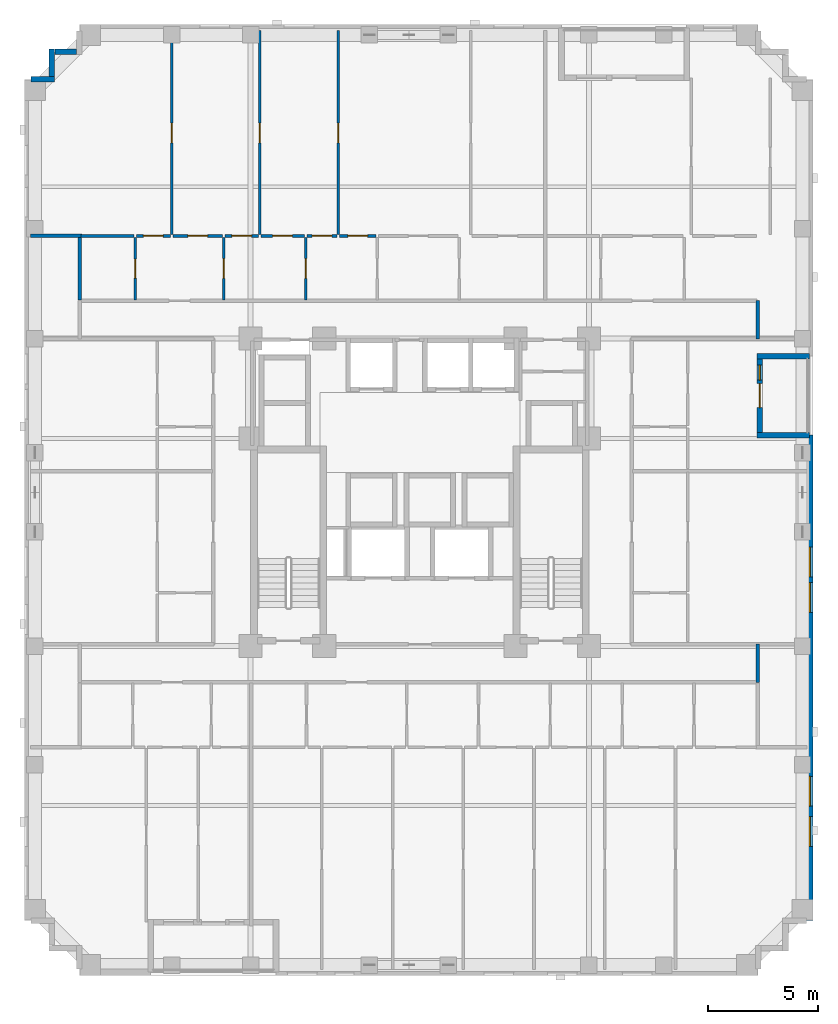
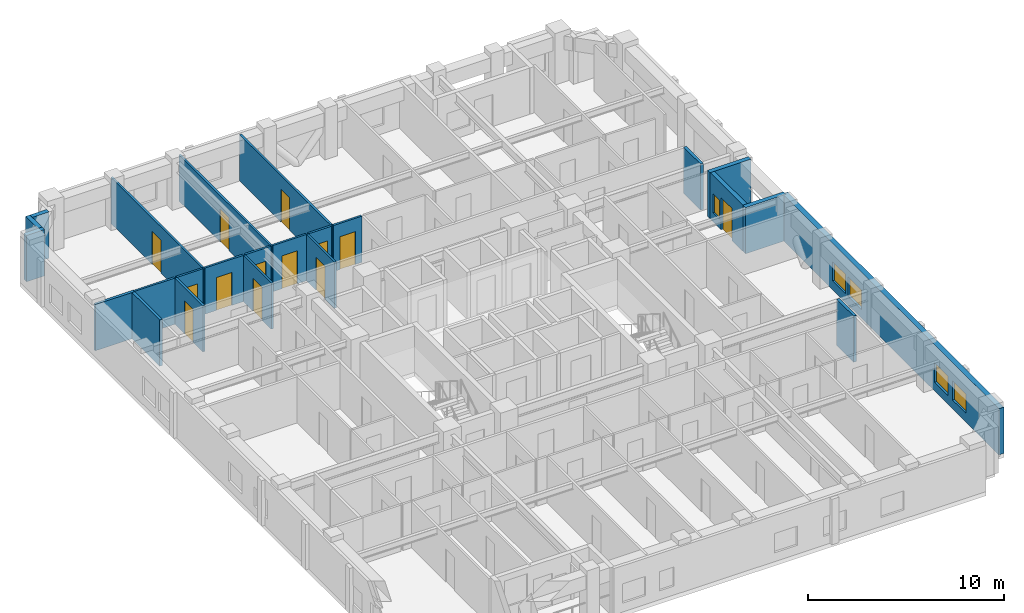
# One storey, part 7 of 12: 24 walls, 13 doors, 5 windows, 18 openings.
"""IFC4 building model written with IfcOpenShell, lengths in metres."""

from ifc_helpers import new_model, si_unit, derived_unit, direction, frame, frame_2d, origin, place, context, subcontext, project, spatial, rectangle, extrude, material, layer, layer_set, type_object, element, fill, save


model = new_model("IFC4")

# Units and contexts
model_context = context("Model", 3, precision=1e-05, world=origin(), true_north=direction((0.0, 1.0)))
body_context = subcontext(model_context, "Body", "Model", "MODEL_VIEW")
ifc_project = project(units=[si_unit("LENGTHUNIT", "METRE"), si_unit("AREAUNIT", "SQUARE_METRE"), si_unit("VOLUMEUNIT", "CUBIC_METRE"), si_unit("PLANEANGLEUNIT", "RADIAN"), si_unit("MASSUNIT", "GRAM", prefix="KILO"), derived_unit("THERMALTRANSMITTANCEUNIT", [(si_unit("MASSUNIT", "GRAM", prefix="KILO"), 1), (si_unit("TIMEUNIT", "SECOND"), -3), (si_unit("THERMODYNAMICTEMPERATUREUNIT", "KELVIN"), -1)])], contexts=[model_context])

# Site, building, storey
site_placement = place(None, origin())
site = spatial("IfcSite", under=ifc_project, at=site_placement, CompositionType="ELEMENT")
building_placement = place(site_placement, origin())
building = spatial("IfcBuilding", under=site, at=building_placement, Name="Korrvale Station Residences", CompositionType="ELEMENT")
storey_placement = place(building_placement, frame((0.0, 0.0, 116.699951171875)))
storey = spatial("IfcBuildingStorey", under=building, at=storey_placement, Name="L33", CompositionType="ELEMENT", Elevation=116.699951171875)

# Wall
ifc_material_1 = material(Name="Precast concrete C45/55", Category="concrete")
ifc_layer_1 = layer(ifc_material_1, 0.260009765625, Name="Precast concrete C45/55")
ifc_layer_set_1 = layer_set([ifc_layer_1], Name="Precast concrete C45/55")
wall_type_1 = type_object("IfcWallType", Name="WAL-EXT-LOG260", PredefinedType="SOLIDWALL", material=ifc_layer_set_1)
wall_1_placement = place(storey_placement, frame((43.239990234375, 28.199951171875, 0.0), z_axis=(0.0, 0.0, 1.0), x_axis=(-1.0, 0.0, 0.0)))
element("IfcWall", 1, at=wall_1_placement, inside=storey, type_object=wall_type_1, Name="L33 Recessed Loggia Wall BAL-L33-E1-L", PredefinedType="SOLIDWALL", context=body_context, shape_type="SweptSolid", body=[
    extrude(rectangle(XDim=2.39990234375, YDim=0.260009765625, at=frame_2d((1.199951171875, 0.0))), origin(), (0.0, 0.0, 1.0), 2.880126953125),
])

# Wall, openings, door, window
wall_2_placement = place(storey_placement, frame((40.969970703125, 28.06591796875, 0.0), z_axis=(0.0, 0.0, 1.0), x_axis=(0.0, -1.0, 0.0)))
wall_2 = element("IfcWall", 2, at=wall_2_placement, inside=storey, type_object=wall_type_1, Name="L33 Recessed Loggia Wall BAL-L33-E1-B", PredefinedType="SOLIDWALL", context=body_context, shape_type="SweptSolid", body=[
    extrude(rectangle(XDim=3.33203125, YDim=0.260009765625, at=frame_2d((1.666015625, 0.0))), origin(), (0.0, 0.0, 1.0), 2.880126953125),
])
opening_1_placement = place(wall_2_placement, frame((1.115966796875, 0.0, 0.0)))
opening_1 = element("IfcOpeningElement", 3, at=opening_1_placement, cuts=wall_2, Name="Opening BD-01", PredefinedType="OPENING", context=body_context, shape_type="SweptSolid", body=[
    extrude(rectangle(XDim=1.10009765625, YDim=2.0, at=frame_2d((0.550048828125, 1.0))), frame((0.0, 0.14013671875, 0.0), z_axis=(0.0, -1.0, 0.0), x_axis=(1.0, 0.0, 0.0)), (0.0, 0.0, 1.0), 0.280029296875),
])
opening_2_placement = place(wall_2_placement, frame((0.27587890625, 0.0, 0.550048828125)))
opening_2 = element("IfcOpeningElement", 4, at=opening_2_placement, cuts=wall_2, Name="Opening W-12", PredefinedType="OPENING", context=body_context, shape_type="SweptSolid", body=[
    extrude(rectangle(XDim=0.679931640625, YDim=1.199951171875, at=frame_2d((0.33984375, 0.60009765625))), frame((0.0, 0.14013671875, 0.0), z_axis=(0.0, -1.0, 0.0), x_axis=(1.0, 0.0, 0.0)), (0.0, 0.0, 1.0), 0.280029296875),
])
ifc_material_2 = material(Name="Exterior thermally broken aluminium glazed balcony door", Category="aluminium")
door_type_1 = type_object("IfcDoorType", Name="DR-EXT-BAL", OperationType="NOTDEFINED", PredefinedType="DOOR", material=ifc_material_2)
door_1_placement = place(opening_1_placement, origin())
door_1 = element("IfcDoor", 5, at=door_1_placement, inside=storey, type_object=door_type_1, Name="L33 Loggia Balcony Door BAL-L33-E1", OperationType="SINGLE_SWING_RIGHT", OverallHeight=2.0, OverallWidth=1.10009765625, PredefinedType="DOOR", context=body_context, shape_type="SweptSolid", body=[
    extrude(rectangle(XDim=1.10009765625, YDim=2.0, at=frame_2d((0.550048828125, 1.0))), frame((0.0, 0.02490234375, 0.0), z_axis=(0.0, -1.0, 0.0), x_axis=(1.0, 0.0, 0.0)), (0.0, 0.0, 1.0), 0.050048828125),
])
fill(opening_1, door_1)
ifc_material_3 = material(Name="Thermally broken aluminium frame with triple low-e glazing", Category="aluminium")
window_type_1 = type_object("IfcWindowType", Name="WIN-W12", PartitioningType="SINGLE_PANEL", PredefinedType="WINDOW", material=ifc_material_3)
window_1_placement = place(opening_2_placement, origin())
window_1 = element("IfcWindow", 6, at=window_1_placement, inside=storey, type_object=window_type_1, Name="L33 Punched Window 25", OverallHeight=1.199951171875, OverallWidth=0.679931640625, PartitioningType="SINGLE_PANEL", PredefinedType="WINDOW", context=body_context, shape_type="SweptSolid", body=[
    extrude(rectangle(XDim=0.679931640625, YDim=1.199951171875, at=frame_2d((0.33984375, 0.60009765625))), frame((0.0, 0.030029296875, 0.0), z_axis=(0.0, -1.0, 0.0), x_axis=(1.0, 0.0, 0.0)), (0.0, 0.0, 1.0), 0.06005859375),
])
fill(opening_2, window_1)

# Walls
wall_3_placement = place(storey_placement, frame((40.840087890625, 24.60009765625, 0.0), z_axis=(0.0, 0.0, 1.0), x_axis=(1.0, 0.0, 0.0)))
element("IfcWall", 7, at=wall_3_placement, inside=storey, type_object=wall_type_1, Name="L33 Recessed Loggia Wall BAL-L33-E1-R", PredefinedType="SOLIDWALL", context=body_context, shape_type="SweptSolid", body=[
    extrude(rectangle(XDim=2.39990234375, YDim=0.260009765625, at=frame_2d((1.199951171875, 0.0))), origin(), (0.0, 0.0, 1.0), 2.880126953125),
])
wall_4_placement = place(storey_placement, frame((7.802001953125, 40.800048828125, 0.0), z_axis=(0.0, 0.0, 1.0), x_axis=(1.0, 0.0, 0.0)))
element("IfcWall", 8, at=wall_4_placement, inside=storey, type_object=wall_type_1, Name="L33 Serrated Corner Precast Step NW-1", PredefinedType="SOLIDWALL", context=body_context, shape_type="SweptSolid", body=[
    extrude(rectangle(XDim=1.077880859375, YDim=0.260009765625, at=frame_2d((0.5390625, 0.0))), origin(), (0.0, 0.0, 1.0), 2.880126953125),
])
wall_5_placement = place(storey_placement, frame((8.75, 40.931884765625, 0.0), z_axis=(0.0, 0.0, 1.0), x_axis=(0.0, 1.0, 0.0)))
element("IfcWall", 9, at=wall_5_placement, inside=storey, type_object=wall_type_1, Name="L33 Serrated Corner Precast Step NW-2", PredefinedType="SOLIDWALL", context=body_context, shape_type="SweptSolid", body=[
    extrude(rectangle(XDim=1.248046875, YDim=0.260009765625, at=frame_2d((0.6240234375, 0.0))), origin(), (0.0, 0.0, 1.0), 2.880126953125),
])
wall_6_placement = place(storey_placement, frame((8.882080078125, 42.050048828125, 0.0), z_axis=(0.0, 0.0, 1.0), x_axis=(1.0, 0.0, 0.0)))
element("IfcWall", 10, at=wall_6_placement, inside=storey, type_object=wall_type_1, Name="L33 Serrated Corner Precast Step NW-3", PredefinedType="SOLIDWALL", context=body_context, shape_type="SweptSolid", body=[
    extrude(rectangle(XDim=0.98583984375, YDim=0.260009765625, at=frame_2d((0.492919921875, 0.0))), origin(), (0.0, 0.0, 1.0), 2.880126953125),
])

# Wall, openings, windows
ifc_layer_2 = layer(ifc_material_1, 0.300048828125, Name="Precast concrete C45/55")
ifc_layer_set_2 = layer_set([ifc_layer_2], Name="Precast concrete C45/55")
wall_type_2 = type_object("IfcWallType", Name="WAL-EXT-PC300", PredefinedType="SOLIDWALL", material=ifc_layer_set_2)
wall_7_placement = place(storey_placement, frame((43.25, 24.60009765625, 0.0), z_axis=(0.0, 0.0, 1.0), x_axis=(0.0, -1.0, 0.0)))
wall_7 = element("IfcWall", 11, at=wall_7_placement, inside=storey, type_object=wall_type_2, Name="L33 East Exterior Precast Wall 2", PredefinedType="SOLIDWALL", context=body_context, shape_type="SweptSolid", body=[
    extrude(rectangle(XDim=22.10009765625, YDim=0.300048828125, at=frame_2d((11.050048828125, 0.0))), origin(), (0.0, 0.0, 1.0), 2.880126953125),
])
opening_3_placement = place(wall_7_placement, frame((17.365966796875, 0.0, 0.550048828125)))
opening_3 = element("IfcOpeningElement", 12, at=opening_3_placement, cuts=wall_7, Name="Opening W-10", PredefinedType="OPENING", context=body_context, shape_type="SweptSolid", body=[
    extrude(rectangle(XDim=1.35009765625, YDim=1.199951171875, at=frame_2d((0.675048828125, 0.60009765625))), frame((0.0, 0.16015625, 0.0), z_axis=(0.0, -1.0, 0.0), x_axis=(1.0, 0.0, 0.0)), (0.0, 0.0, 1.0), 0.320068359375),
])
opening_4_placement = place(wall_7_placement, frame((15.534912109375, 0.0, 0.550048828125)))
opening_4 = element("IfcOpeningElement", 13, at=opening_4_placement, cuts=wall_7, Name="Opening W-10", PredefinedType="OPENING", context=body_context, shape_type="SweptSolid", body=[
    extrude(rectangle(XDim=1.35009765625, YDim=1.199951171875, at=frame_2d((0.675048828125, 0.60009765625))), frame((0.0, 0.16015625, 0.0), z_axis=(0.0, -1.0, 0.0), x_axis=(1.0, 0.0, 0.0)), (0.0, 0.0, 1.0), 0.320068359375),
])
opening_5_placement = place(wall_7_placement, frame((5.10009765625, 0.0, 0.550048828125)))
opening_5 = element("IfcOpeningElement", 14, at=opening_5_placement, cuts=wall_7, Name="Opening W-10", PredefinedType="OPENING", context=body_context, shape_type="SweptSolid", body=[
    extrude(rectangle(XDim=1.35009765625, YDim=1.199951171875, at=frame_2d((0.675048828125, 0.60009765625))), frame((0.0, 0.16015625, 0.0), z_axis=(0.0, -1.0, 0.0), x_axis=(1.0, 0.0, 0.0)), (0.0, 0.0, 1.0), 0.320068359375),
])
opening_6_placement = place(wall_7_placement, frame((6.7099609375, 0.0, 0.550048828125)))
opening_6 = element("IfcOpeningElement", 15, at=opening_6_placement, cuts=wall_7, Name="Opening W-10", PredefinedType="OPENING", context=body_context, shape_type="SweptSolid", body=[
    extrude(rectangle(XDim=1.35009765625, YDim=1.199951171875, at=frame_2d((0.675048828125, 0.60009765625))), frame((0.0, 0.16015625, 0.0), z_axis=(0.0, -1.0, 0.0), x_axis=(1.0, 0.0, 0.0)), (0.0, 0.0, 1.0), 0.320068359375),
])
window_type_2 = type_object("IfcWindowType", Name="WIN-W10", PartitioningType="SINGLE_PANEL", PredefinedType="WINDOW", material=ifc_material_3)
window_2_placement = place(opening_3_placement, origin())
window_2 = element("IfcWindow", 16, at=window_2_placement, inside=storey, type_object=window_type_2, Name="L33 Punched Window 10", OverallHeight=1.199951171875, OverallWidth=1.35009765625, PartitioningType="SINGLE_PANEL", PredefinedType="WINDOW", context=body_context, shape_type="SweptSolid", body=[
    extrude(rectangle(XDim=1.35009765625, YDim=1.199951171875, at=frame_2d((0.675048828125, 0.60009765625))), frame((0.0, 0.030029296875, 0.0), z_axis=(0.0, -1.0, 0.0), x_axis=(1.0, 0.0, 0.0)), (0.0, 0.0, 1.0), 0.06005859375),
])
fill(opening_3, window_2)
window_3_placement = place(opening_4_placement, origin())
window_3 = element("IfcWindow", 17, at=window_3_placement, inside=storey, type_object=window_type_2, Name="L33 Punched Window 11", OverallHeight=1.199951171875, OverallWidth=1.35009765625, PartitioningType="SINGLE_PANEL", PredefinedType="WINDOW", context=body_context, shape_type="SweptSolid", body=[
    extrude(rectangle(XDim=1.35009765625, YDim=1.199951171875, at=frame_2d((0.675048828125, 0.60009765625))), frame((0.0, 0.030029296875, 0.0), z_axis=(0.0, -1.0, 0.0), x_axis=(1.0, 0.0, 0.0)), (0.0, 0.0, 1.0), 0.06005859375),
])
fill(opening_4, window_3)
window_4_placement = place(opening_5_placement, origin())
window_4 = element("IfcWindow", 18, at=window_4_placement, inside=storey, type_object=window_type_2, Name="L33 Punched Window 23", OverallHeight=1.199951171875, OverallWidth=1.35009765625, PartitioningType="SINGLE_PANEL", PredefinedType="WINDOW", context=body_context, shape_type="SweptSolid", body=[
    extrude(rectangle(XDim=1.35009765625, YDim=1.199951171875, at=frame_2d((0.675048828125, 0.60009765625))), frame((0.0, 0.030029296875, 0.0), z_axis=(0.0, -1.0, 0.0), x_axis=(1.0, 0.0, 0.0)), (0.0, 0.0, 1.0), 0.06005859375),
])
fill(opening_5, window_4)
window_5_placement = place(opening_6_placement, origin())
window_5 = element("IfcWindow", 19, at=window_5_placement, inside=storey, type_object=window_type_2, Name="L33 Punched Window 24", OverallHeight=1.199951171875, OverallWidth=1.35009765625, PartitioningType="SINGLE_PANEL", PredefinedType="WINDOW", context=body_context, shape_type="SweptSolid", body=[
    extrude(rectangle(XDim=1.35009765625, YDim=1.199951171875, at=frame_2d((0.675048828125, 0.60009765625))), frame((0.0, 0.030029296875, 0.0), z_axis=(0.0, -1.0, 0.0), x_axis=(1.0, 0.0, 0.0)), (0.0, 0.0, 1.0), 0.06005859375),
])
fill(opening_6, window_5)

# Wall, opening, door
ifc_material_4 = material(Name="Acoustic steel-stud gypsum board partition", Category="steel")
ifc_layer_3 = layer(ifc_material_4, 0.1201171875, Name="Acoustic steel-stud gypsum board partition")
ifc_layer_set_3 = layer_set([ifc_layer_3], Name="Acoustic steel-stud gypsum board partition")
wall_type_3 = type_object("IfcWallType", Name="WAL-PART-125", PredefinedType="PARTITIONING", material=ifc_layer_set_3)
wall_8_placement = place(storey_placement, frame((12.5400390625, 30.760009765625, 0.0), z_axis=(0.0, 0.0, 1.0), x_axis=(0.0, 1.0, 0.0)))
wall_8 = element("IfcWall", 20, at=wall_8_placement, inside=storey, type_object=wall_type_3, Name="L33 Suite Partition U03-V01", PredefinedType="PARTITIONING", context=body_context, shape_type="SweptSolid", body=[
    extrude(rectangle(XDim=2.85009765625, YDim=0.1201171875, at=frame_2d((1.425048828125, 0.0))), origin(), (0.0, 0.0, 1.0), 2.880126953125),
])
opening_7_placement = place(wall_8_placement, frame((0.9951171875, 0.0, 0.0)))
opening_7 = element("IfcOpeningElement", 21, at=opening_7_placement, cuts=wall_8, Name="Opening DB-860", PredefinedType="OPENING", context=body_context, shape_type="SweptSolid", body=[
    extrude(rectangle(XDim=0.860107421875, YDim=2.050048828125, at=frame_2d((0.43017578125, 1.02490234375))), frame((0.0, 0.070068359375, 0.0), z_axis=(0.0, -1.0, 0.0), x_axis=(1.0, 0.0, 0.0)), (0.0, 0.0, 1.0), 0.14013671875),
])
ifc_material_5 = material(Name="Moisture-resistant solid-core bathroom door", Category="timber")
door_type_2 = type_object("IfcDoorType", Name="DR-BATH-860", OperationType="NOTDEFINED", PredefinedType="DOOR", material=ifc_material_5)
door_2_placement = place(opening_7_placement, origin())
door_2 = element("IfcDoor", 22, at=door_2_placement, inside=storey, type_object=door_type_2, Name="L33 Apartment 1BR L33-U03 Bathroom Door", OperationType="SINGLE_SWING_RIGHT", OverallHeight=2.050048828125, OverallWidth=0.860107421875, PredefinedType="DOOR", context=body_context, shape_type="SweptSolid", body=[
    extrude(rectangle(XDim=0.860107421875, YDim=2.050048828125, at=frame_2d((0.43017578125, 1.02490234375))), frame((0.0, 0.02490234375, 0.0), z_axis=(0.0, -1.0, 0.0), x_axis=(1.0, 0.0, 0.0)), (0.0, 0.0, 1.0), 0.050048828125),
])
fill(opening_7, door_2)

# Wall
wall_9_placement = place(storey_placement, frame((10.080078125, 33.669921875, 0.0), z_axis=(0.0, 0.0, 1.0), x_axis=(1.0, 0.0, 0.0)))
element("IfcWall", 23, at=wall_9_placement, inside=storey, type_object=wall_type_3, Name="L33 Suite Partition U03-H06", PredefinedType="PARTITIONING", context=body_context, shape_type="SweptSolid", body=[
    extrude(rectangle(XDim=2.39990234375, YDim=0.1201171875, at=frame_2d((1.199951171875, 0.0))), origin(), (0.0, 0.0, 1.0), 2.880126953125),
])

# Wall, opening, door
wall_10_placement = place(storey_placement, frame((16.580078125, 30.760009765625, 0.0), z_axis=(0.0, 0.0, 1.0), x_axis=(0.0, 1.0, 0.0)))
wall_10 = element("IfcWall", 24, at=wall_10_placement, inside=storey, type_object=wall_type_3, Name="L33 Suite Partition U03-V12", PredefinedType="PARTITIONING", context=body_context, shape_type="SweptSolid", body=[
    extrude(rectangle(XDim=2.85009765625, YDim=0.1201171875, at=frame_2d((1.425048828125, 0.0))), origin(), (0.0, 0.0, 1.0), 2.880126953125),
])
opening_8_placement = place(wall_10_placement, frame((0.97509765625, 0.0, 0.0)))
opening_8 = element("IfcOpeningElement", 25, at=opening_8_placement, cuts=wall_10, Name="Opening DI-900", PredefinedType="OPENING", context=body_context, shape_type="SweptSolid", body=[
    extrude(rectangle(XDim=0.89990234375, YDim=2.050048828125, at=frame_2d((0.449951171875, 1.02490234375))), frame((0.0, 0.070068359375, 0.0), z_axis=(0.0, -1.0, 0.0), x_axis=(1.0, 0.0, 0.0)), (0.0, 0.0, 1.0), 0.14013671875),
])
ifc_material_6 = material(Name="Painted solid-core timber interior room door", Category="wood")
door_type_3 = type_object("IfcDoorType", Name="DR-INT-900", OperationType="NOTDEFINED", PredefinedType="DOOR", material=ifc_material_6)
door_3_placement = place(opening_8_placement, origin())
door_3 = element("IfcDoor", 26, at=door_3_placement, inside=storey, type_object=door_type_3, Name="L33 Apartment 1BR L33-U03 Kitchen Door", OperationType="SINGLE_SWING_LEFT", OverallHeight=2.050048828125, OverallWidth=0.89990234375, PredefinedType="DOOR", context=body_context, shape_type="SweptSolid", body=[
    extrude(rectangle(XDim=0.89990234375, YDim=2.050048828125, at=frame_2d((0.449951171875, 1.02490234375))), frame((0.0, 0.02490234375, 0.0), z_axis=(0.0, -1.0, 0.0), x_axis=(1.0, 0.0, 0.0)), (0.0, 0.0, 1.0), 0.050048828125),
])
fill(opening_8, door_3)

wall_11_placement = place(storey_placement, frame((12.60009765625, 33.669921875, 0.0), z_axis=(0.0, 0.0, 1.0), x_axis=(1.0, 0.0, 0.0)))
wall_11 = element("IfcWall", 27, at=wall_11_placement, inside=storey, type_object=wall_type_3, Name="L33 Suite Partition U03-H16", PredefinedType="PARTITIONING", context=body_context, shape_type="SweptSolid", body=[
    extrude(rectangle(XDim=1.539794921875, YDim=0.1201171875, at=frame_2d((0.77001953125, 0.0))), origin(), (0.0, 0.0, 1.0), 2.880126953125),
])
opening_9_placement = place(wall_11_placement, frame((0.320068359375, 0.0, 0.0)))
opening_9 = element("IfcOpeningElement", 28, at=opening_9_placement, cuts=wall_11, Name="Opening DI-900", PredefinedType="OPENING", context=body_context, shape_type="SweptSolid", body=[
    extrude(rectangle(XDim=0.89990234375, YDim=2.050048828125, at=frame_2d((0.449951171875, 1.02490234375))), frame((0.0, 0.070068359375, 0.0), z_axis=(0.0, -1.0, 0.0), x_axis=(1.0, 0.0, 0.0)), (0.0, 0.0, 1.0), 0.14013671875),
])
door_4_placement = place(opening_9_placement, origin())
door_4 = element("IfcDoor", 29, at=door_4_placement, inside=storey, type_object=door_type_3, Name="L33 Apartment 1BR L33-U03 Kitchen Door", OperationType="SINGLE_SWING_RIGHT", OverallHeight=2.050048828125, OverallWidth=0.89990234375, PredefinedType="DOOR", context=body_context, shape_type="SweptSolid", body=[
    extrude(rectangle(XDim=0.89990234375, YDim=2.050048828125, at=frame_2d((0.449951171875, 1.02490234375))), frame((0.0, 0.02490234375, 0.0), z_axis=(0.0, -1.0, 0.0), x_axis=(1.0, 0.0, 0.0)), (0.0, 0.0, 1.0), 0.050048828125),
])
fill(opening_9, door_4)

wall_12_placement = place(storey_placement, frame((14.260009765625, 33.669921875, 0.0), z_axis=(0.0, 0.0, 1.0), x_axis=(1.0, 0.0, 0.0)))
wall_12 = element("IfcWall", 30, at=wall_12_placement, inside=storey, type_object=wall_type_3, Name="L33 Suite Partition U03-H17", PredefinedType="PARTITIONING", context=body_context, shape_type="SweptSolid", body=[
    extrude(rectangle(XDim=2.260009765625, YDim=0.1201171875, at=frame_2d((1.1298828125, 0.0))), origin(), (0.0, 0.0, 1.0), 2.880126953125),
])
opening_10_placement = place(wall_12_placement, frame((0.679931640625, 0.0, 0.0)))
opening_10 = element("IfcOpeningElement", 31, at=opening_10_placement, cuts=wall_12, Name="Opening DI-900", PredefinedType="OPENING", context=body_context, shape_type="SweptSolid", body=[
    extrude(rectangle(XDim=0.89990234375, YDim=2.050048828125, at=frame_2d((0.449951171875, 1.02490234375))), frame((0.0, 0.070068359375, 0.0), z_axis=(0.0, -1.0, 0.0), x_axis=(1.0, 0.0, 0.0)), (0.0, 0.0, 1.0), 0.14013671875),
])
door_5_placement = place(opening_10_placement, origin())
door_5 = element("IfcDoor", 32, at=door_5_placement, inside=storey, type_object=door_type_3, Name="L33 Apartment 1BR L33-U03 Kitchen Door", OperationType="SINGLE_SWING_LEFT", OverallHeight=2.050048828125, OverallWidth=0.89990234375, PredefinedType="DOOR", context=body_context, shape_type="SweptSolid", body=[
    extrude(rectangle(XDim=0.89990234375, YDim=2.050048828125, at=frame_2d((0.449951171875, 1.02490234375))), frame((0.0, 0.02490234375, 0.0), z_axis=(0.0, -1.0, 0.0), x_axis=(1.0, 0.0, 0.0)), (0.0, 0.0, 1.0), 0.050048828125),
])
fill(opening_10, door_5)

wall_13_placement = place(storey_placement, frame((20.300048828125, 30.760009765625, 0.0), z_axis=(0.0, 0.0, 1.0), x_axis=(0.0, 1.0, 0.0)))
wall_13 = element("IfcWall", 33, at=wall_13_placement, inside=storey, type_object=wall_type_3, Name="L33 Suite Partition U03-V23", PredefinedType="PARTITIONING", context=body_context, shape_type="SweptSolid", body=[
    extrude(rectangle(XDim=2.85009765625, YDim=0.1201171875, at=frame_2d((1.425048828125, 0.0))), origin(), (0.0, 0.0, 1.0), 2.880126953125),
])
opening_11_placement = place(wall_13_placement, frame((0.97509765625, 0.0, 0.0)))
opening_11 = element("IfcOpeningElement", 34, at=opening_11_placement, cuts=wall_13, Name="Opening DI-900", PredefinedType="OPENING", context=body_context, shape_type="SweptSolid", body=[
    extrude(rectangle(XDim=0.89990234375, YDim=2.050048828125, at=frame_2d((0.449951171875, 1.02490234375))), frame((0.0, 0.070068359375, 0.0), z_axis=(0.0, -1.0, 0.0), x_axis=(1.0, 0.0, 0.0)), (0.0, 0.0, 1.0), 0.14013671875),
])
door_6_placement = place(opening_11_placement, origin())
door_6 = element("IfcDoor", 35, at=door_6_placement, inside=storey, type_object=door_type_3, Name="L33 Apartment 1BR L33-U03 Utility and Laundry Room Door", OperationType="SINGLE_SWING_RIGHT", OverallHeight=2.050048828125, OverallWidth=0.89990234375, PredefinedType="DOOR", context=body_context, shape_type="SweptSolid", body=[
    extrude(rectangle(XDim=0.89990234375, YDim=2.050048828125, at=frame_2d((0.449951171875, 1.02490234375))), frame((0.0, 0.02490234375, 0.0), z_axis=(0.0, -1.0, 0.0), x_axis=(1.0, 0.0, 0.0)), (0.0, 0.0, 1.0), 0.050048828125),
])
fill(opening_11, door_6)

wall_14_placement = place(storey_placement, frame((16.639892578125, 33.669921875, 0.0), z_axis=(0.0, 0.0, 1.0), x_axis=(1.0, 0.0, 0.0)))
wall_14 = element("IfcWall", 36, at=wall_14_placement, inside=storey, type_object=wall_type_3, Name="L33 Suite Partition U03-H27", PredefinedType="PARTITIONING", context=body_context, shape_type="SweptSolid", body=[
    extrude(rectangle(XDim=1.508056640625, YDim=0.1201171875, at=frame_2d((0.75390625, 0.0))), origin(), (0.0, 0.0, 1.0), 2.880126953125),
])
opening_12_placement = place(wall_14_placement, frame((0.303955078125, 0.0, 0.0)))
opening_12 = element("IfcOpeningElement", 37, at=opening_12_placement, cuts=wall_14, Name="Opening DI-900", PredefinedType="OPENING", context=body_context, shape_type="SweptSolid", body=[
    extrude(rectangle(XDim=0.89990234375, YDim=2.050048828125, at=frame_2d((0.449951171875, 1.02490234375))), frame((0.0, 0.070068359375, 0.0), z_axis=(0.0, -1.0, 0.0), x_axis=(1.0, 0.0, 0.0)), (0.0, 0.0, 1.0), 0.14013671875),
])
door_7_placement = place(opening_12_placement, origin())
door_7 = element("IfcDoor", 38, at=door_7_placement, inside=storey, type_object=door_type_3, Name="L33 Apartment 1BR L33-U03 Utility and Laundry Room Door", OperationType="SINGLE_SWING_LEFT", OverallHeight=2.050048828125, OverallWidth=0.89990234375, PredefinedType="DOOR", context=body_context, shape_type="SweptSolid", body=[
    extrude(rectangle(XDim=0.89990234375, YDim=2.050048828125, at=frame_2d((0.449951171875, 1.02490234375))), frame((0.0, 0.02490234375, 0.0), z_axis=(0.0, -1.0, 0.0), x_axis=(1.0, 0.0, 0.0)), (0.0, 0.0, 1.0), 0.050048828125),
])
fill(opening_12, door_7)

wall_15_placement = place(storey_placement, frame((18.26806640625, 33.669921875, 0.0), z_axis=(0.0, 0.0, 1.0), x_axis=(1.0, 0.0, 0.0)))
wall_15 = element("IfcWall", 39, at=wall_15_placement, inside=storey, type_object=wall_type_3, Name="L33 Suite Partition U03-H28", PredefinedType="PARTITIONING", context=body_context, shape_type="SweptSolid", body=[
    extrude(rectangle(XDim=1.971923828125, YDim=0.1201171875, at=frame_2d((0.98583984375, 0.0))), origin(), (0.0, 0.0, 1.0), 2.880126953125),
])
opening_13_placement = place(wall_15_placement, frame((0.535888671875, 0.0, 0.0)))
opening_13 = element("IfcOpeningElement", 40, at=opening_13_placement, cuts=wall_15, Name="Opening DI-900", PredefinedType="OPENING", context=body_context, shape_type="SweptSolid", body=[
    extrude(rectangle(XDim=0.89990234375, YDim=2.050048828125, at=frame_2d((0.449951171875, 1.02490234375))), frame((0.0, 0.070068359375, 0.0), z_axis=(0.0, -1.0, 0.0), x_axis=(1.0, 0.0, 0.0)), (0.0, 0.0, 1.0), 0.14013671875),
])
door_8_placement = place(opening_13_placement, origin())
door_8 = element("IfcDoor", 41, at=door_8_placement, inside=storey, type_object=door_type_3, Name="L33 Apartment 1BR L33-U03 Utility and Laundry Room Door", OperationType="SINGLE_SWING_RIGHT", OverallHeight=2.050048828125, OverallWidth=0.89990234375, PredefinedType="DOOR", context=body_context, shape_type="SweptSolid", body=[
    extrude(rectangle(XDim=0.89990234375, YDim=2.050048828125, at=frame_2d((0.449951171875, 1.02490234375))), frame((0.0, 0.02490234375, 0.0), z_axis=(0.0, -1.0, 0.0), x_axis=(1.0, 0.0, 0.0)), (0.0, 0.0, 1.0), 0.050048828125),
])
fill(opening_13, door_8)

wall_16_placement = place(storey_placement, frame((20.360107421875, 33.669921875, 0.0), z_axis=(0.0, 0.0, 1.0), x_axis=(1.0, 0.0, 0.0)))
wall_16 = element("IfcWall", 42, at=wall_16_placement, inside=storey, type_object=wall_type_3, Name="L33 Suite Partition U03-H38", PredefinedType="PARTITIONING", context=body_context, shape_type="SweptSolid", body=[
    extrude(rectangle(XDim=1.364013671875, YDim=0.1201171875, at=frame_2d((0.68212890625, 0.0))), origin(), (0.0, 0.0, 1.0), 2.880126953125),
])
opening_14_placement = place(wall_16_placement, frame((0.23193359375, 0.0, 0.0)))
opening_14 = element("IfcOpeningElement", 43, at=opening_14_placement, cuts=wall_16, Name="Opening DI-900", PredefinedType="OPENING", context=body_context, shape_type="SweptSolid", body=[
    extrude(rectangle(XDim=0.89990234375, YDim=2.050048828125, at=frame_2d((0.449951171875, 1.02490234375))), frame((0.0, 0.070068359375, 0.0), z_axis=(0.0, -1.0, 0.0), x_axis=(1.0, 0.0, 0.0)), (0.0, 0.0, 1.0), 0.14013671875),
])
door_9_placement = place(opening_14_placement, origin())
door_9 = element("IfcDoor", 44, at=door_9_placement, inside=storey, type_object=door_type_3, Name="L33 Apartment 1BR L33-U03 Storage Closet 2 Door", OperationType="SINGLE_SWING_RIGHT", OverallHeight=2.050048828125, OverallWidth=0.89990234375, PredefinedType="DOOR", context=body_context, shape_type="SweptSolid", body=[
    extrude(rectangle(XDim=0.89990234375, YDim=2.050048828125, at=frame_2d((0.449951171875, 1.02490234375))), frame((0.0, 0.02490234375, 0.0), z_axis=(0.0, -1.0, 0.0), x_axis=(1.0, 0.0, 0.0)), (0.0, 0.0, 1.0), 0.050048828125),
])
fill(opening_14, door_9)

wall_17_placement = place(storey_placement, frame((21.843994140625, 33.669921875, 0.0), z_axis=(0.0, 0.0, 1.0), x_axis=(1.0, 0.0, 0.0)))
wall_17 = element("IfcWall", 45, at=wall_17_placement, inside=storey, type_object=wall_type_3, Name="L33 Suite Partition U03-H39", PredefinedType="PARTITIONING", context=body_context, shape_type="SweptSolid", body=[
    extrude(rectangle(XDim=1.666015625, YDim=0.1201171875, at=frame_2d((0.8330078125, 0.0))), origin(), (0.0, 0.0, 1.0), 2.880126953125),
])
opening_15_placement = place(wall_17_placement, frame((0.383056640625, 0.0, 0.0)))
opening_15 = element("IfcOpeningElement", 46, at=opening_15_placement, cuts=wall_17, Name="Opening DI-900", PredefinedType="OPENING", context=body_context, shape_type="SweptSolid", body=[
    extrude(rectangle(XDim=0.89990234375, YDim=2.050048828125, at=frame_2d((0.449951171875, 1.02490234375))), frame((0.0, 0.070068359375, 0.0), z_axis=(0.0, -1.0, 0.0), x_axis=(1.0, 0.0, 0.0)), (0.0, 0.0, 1.0), 0.14013671875),
])
door_10_placement = place(opening_15_placement, origin())
door_10 = element("IfcDoor", 47, at=door_10_placement, inside=storey, type_object=door_type_3, Name="L33 Apartment 1BR L33-U03 Storage Closet 2 Door", OperationType="SINGLE_SWING_LEFT", OverallHeight=2.050048828125, OverallWidth=0.89990234375, PredefinedType="DOOR", context=body_context, shape_type="SweptSolid", body=[
    extrude(rectangle(XDim=0.89990234375, YDim=2.050048828125, at=frame_2d((0.449951171875, 1.02490234375))), frame((0.0, 0.02490234375, 0.0), z_axis=(0.0, -1.0, 0.0), x_axis=(1.0, 0.0, 0.0)), (0.0, 0.0, 1.0), 0.050048828125),
])
fill(opening_15, door_10)

wall_18_placement = place(storey_placement, frame((14.199951171875, 33.72998046875, 0.0), z_axis=(0.0, 0.0, 1.0), x_axis=(0.0, 1.0, 0.0)))
wall_18 = element("IfcWall", 48, at=wall_18_placement, inside=storey, type_object=wall_type_3, Name="L33 Suite Partition U03-V67", PredefinedType="PARTITIONING", context=body_context, shape_type="SweptSolid", body=[
    extrude(rectangle(XDim=9.2900390625, YDim=0.1201171875, at=frame_2d((4.64501953125, 0.0))), origin(), (0.0, 0.0, 1.0), 2.880126953125),
])
opening_16_placement = place(wall_18_placement, frame((4.179931640625, 0.0, 0.0)))
opening_16 = element("IfcOpeningElement", 49, at=opening_16_placement, cuts=wall_18, Name="Opening DI-900", PredefinedType="OPENING", context=body_context, shape_type="SweptSolid", body=[
    extrude(rectangle(XDim=0.89990234375, YDim=2.050048828125, at=frame_2d((0.449951171875, 1.02490234375))), frame((0.0, 0.070068359375, 0.0), z_axis=(0.0, -1.0, 0.0), x_axis=(1.0, 0.0, 0.0)), (0.0, 0.0, 1.0), 0.14013671875),
])
door_11_placement = place(opening_16_placement, origin())
door_11 = element("IfcDoor", 50, at=door_11_placement, inside=storey, type_object=door_type_3, Name="L33 Apartment 1BR L33-U03 Living and Dining Room Door", OperationType="SINGLE_SWING_LEFT", OverallHeight=2.050048828125, OverallWidth=0.89990234375, PredefinedType="DOOR", context=body_context, shape_type="SweptSolid", body=[
    extrude(rectangle(XDim=0.89990234375, YDim=2.050048828125, at=frame_2d((0.449951171875, 1.02490234375))), frame((0.0, 0.02490234375, 0.0), z_axis=(0.0, -1.0, 0.0), x_axis=(1.0, 0.0, 0.0)), (0.0, 0.0, 1.0), 0.050048828125),
])
fill(opening_16, door_11)

wall_19_placement = place(storey_placement, frame((18.2080078125, 33.72998046875, 0.0), z_axis=(0.0, 0.0, 1.0), x_axis=(0.0, 1.0, 0.0)))
wall_19 = element("IfcWall", 51, at=wall_19_placement, inside=storey, type_object=wall_type_3, Name="L33 Suite Partition U03-V78", PredefinedType="PARTITIONING", context=body_context, shape_type="SweptSolid", body=[
    extrude(rectangle(XDim=9.2900390625, YDim=0.1201171875, at=frame_2d((4.64501953125, 0.0))), origin(), (0.0, 0.0, 1.0), 2.880126953125),
])
opening_17_placement = place(wall_19_placement, frame((4.179931640625, 0.0, 0.0)))
opening_17 = element("IfcOpeningElement", 52, at=opening_17_placement, cuts=wall_19, Name="Opening DI-900", PredefinedType="OPENING", context=body_context, shape_type="SweptSolid", body=[
    extrude(rectangle(XDim=0.89990234375, YDim=2.050048828125, at=frame_2d((0.449951171875, 1.02490234375))), frame((0.0, 0.070068359375, 0.0), z_axis=(0.0, -1.0, 0.0), x_axis=(1.0, 0.0, 0.0)), (0.0, 0.0, 1.0), 0.14013671875),
])
door_12_placement = place(opening_17_placement, origin())
door_12 = element("IfcDoor", 53, at=door_12_placement, inside=storey, type_object=door_type_3, Name="L33 Apartment 1BR L33-U03 Formal Dining Room Door", OperationType="SINGLE_SWING_RIGHT", OverallHeight=2.050048828125, OverallWidth=0.89990234375, PredefinedType="DOOR", context=body_context, shape_type="SweptSolid", body=[
    extrude(rectangle(XDim=0.89990234375, YDim=2.050048828125, at=frame_2d((0.449951171875, 1.02490234375))), frame((0.0, 0.02490234375, 0.0), z_axis=(0.0, -1.0, 0.0), x_axis=(1.0, 0.0, 0.0)), (0.0, 0.0, 1.0), 0.050048828125),
])
fill(opening_17, door_12)

wall_20_placement = place(storey_placement, frame((21.783935546875, 33.72998046875, 0.0), z_axis=(0.0, 0.0, 1.0), x_axis=(0.0, 1.0, 0.0)))
wall_20 = element("IfcWall", 54, at=wall_20_placement, inside=storey, type_object=wall_type_3, Name="L33 Suite Partition U03-V89", PredefinedType="PARTITIONING", context=body_context, shape_type="SweptSolid", body=[
    extrude(rectangle(XDim=9.2900390625, YDim=0.1201171875, at=frame_2d((4.64501953125, 0.0))), origin(), (0.0, 0.0, 1.0), 2.880126953125),
])
opening_18_placement = place(wall_20_placement, frame((4.179931640625, 0.0, 0.0)))
opening_18 = element("IfcOpeningElement", 55, at=opening_18_placement, cuts=wall_20, Name="Opening DI-900", PredefinedType="OPENING", context=body_context, shape_type="SweptSolid", body=[
    extrude(rectangle(XDim=0.89990234375, YDim=2.050048828125, at=frame_2d((0.449951171875, 1.02490234375))), frame((0.0, 0.070068359375, 0.0), z_axis=(0.0, -1.0, 0.0), x_axis=(1.0, 0.0, 0.0)), (0.0, 0.0, 1.0), 0.14013671875),
])
door_13_placement = place(opening_18_placement, origin())
door_13 = element("IfcDoor", 56, at=door_13_placement, inside=storey, type_object=door_type_3, Name="L33 Apartment 1BR L33-U03 Home Study Room Door", OperationType="SINGLE_SWING_LEFT", OverallHeight=2.050048828125, OverallWidth=0.89990234375, PredefinedType="DOOR", context=body_context, shape_type="SweptSolid", body=[
    extrude(rectangle(XDim=0.89990234375, YDim=2.050048828125, at=frame_2d((0.449951171875, 1.02490234375))), frame((0.0, 0.02490234375, 0.0), z_axis=(0.0, -1.0, 0.0), x_axis=(1.0, 0.0, 0.0)), (0.0, 0.0, 1.0), 0.050048828125),
])
fill(opening_18, door_13)

# Walls
ifc_material_7 = material(Name="Fire-rated twin-stud gypsum and mineral wool shaftwall assembly", Category="gypsum")
ifc_layer_4 = layer(ifc_material_7, 0.159912109375, Name="Fire-rated twin-stud gypsum and mineral wool shaftwall assembly")
ifc_layer_set_4 = layer_set([ifc_layer_4], Name="Fire-rated twin-stud gypsum and mineral wool shaftwall assembly")
wall_type_4 = type_object("IfcWallType", Name="WAL-PART-200", PredefinedType="PARTITIONING", material=ifc_layer_set_4)
for number, where, z_axis, x_axis, name in (
    (57, (40.8798828125, 13.35009765625, 0.0), (0.0, 0.0, 1.0), (0.0, 1.0, 0.0), "L33 Corridor South East Cap"),
    (58, (40.8798828125, 28.97998046875, 0.0), (0.0, 0.0, 1.0), (0.0, 1.0, 0.0), "L33 Corridor North East Cap"),
):
    element("IfcWall", number, at=place(storey_placement, frame(where, z_axis=z_axis, x_axis=x_axis)), inside=storey, type_object=wall_type_4, Name=name, PredefinedType="PARTITIONING", context=body_context, shape_type="SweptSolid", body=[
        extrude(rectangle(XDim=1.739990234375, YDim=0.159912109375, at=frame_2d((0.8701171875, 0.0))), origin(), (0.0, 0.0, 1.0), 2.880126953125),
    ])
wall_21_placement = place(storey_placement, frame((7.780029296875, 33.669921875, 0.0), z_axis=(0.0, 0.0, 1.0), x_axis=(1.0, 0.0, 0.0)))
element("IfcWall", 59, at=wall_21_placement, inside=storey, type_object=wall_type_4, Name="L33 Corner Step Wall U03-L", PredefinedType="PARTITIONING", context=body_context, shape_type="SweptSolid", body=[
    extrude(rectangle(XDim=2.340087890625, YDim=0.159912109375, at=frame_2d((1.169921875, 0.0))), origin(), (0.0, 0.0, 1.0), 2.880126953125),
])
wall_22_placement = place(storey_placement, frame((10.02001953125, 30.760009765625, 0.0), z_axis=(0.0, 0.0, 1.0), x_axis=(0.0, 1.0, 0.0)))
element("IfcWall", 60, at=wall_22_placement, inside=storey, type_object=wall_type_4, Name="L33 Corner Step Cheek U03-L", PredefinedType="PARTITIONING", context=body_context, shape_type="SweptSolid", body=[
    extrude(rectangle(XDim=2.909912109375, YDim=0.159912109375, at=frame_2d((1.455078125, 0.0))), origin(), (0.0, 0.0, 1.0), 2.880126953125),
])

save(model, "model.ifc")
